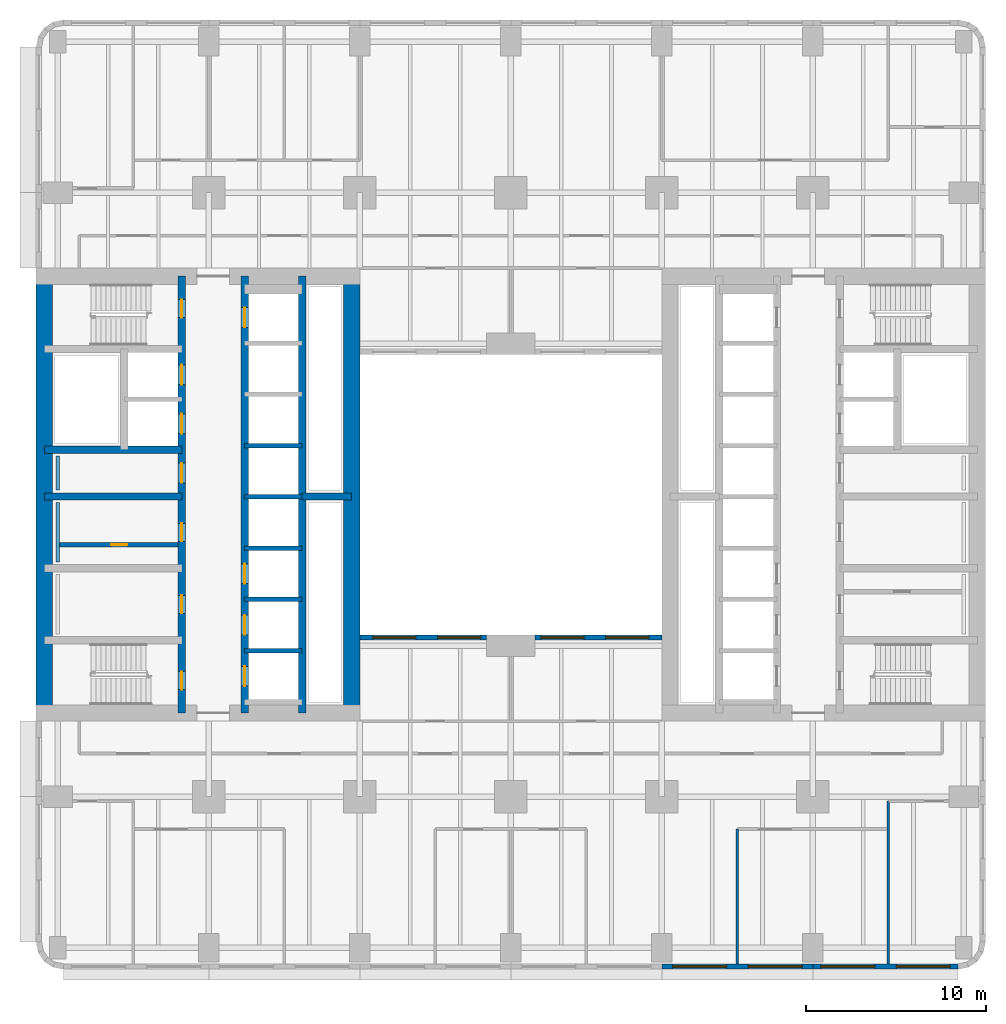
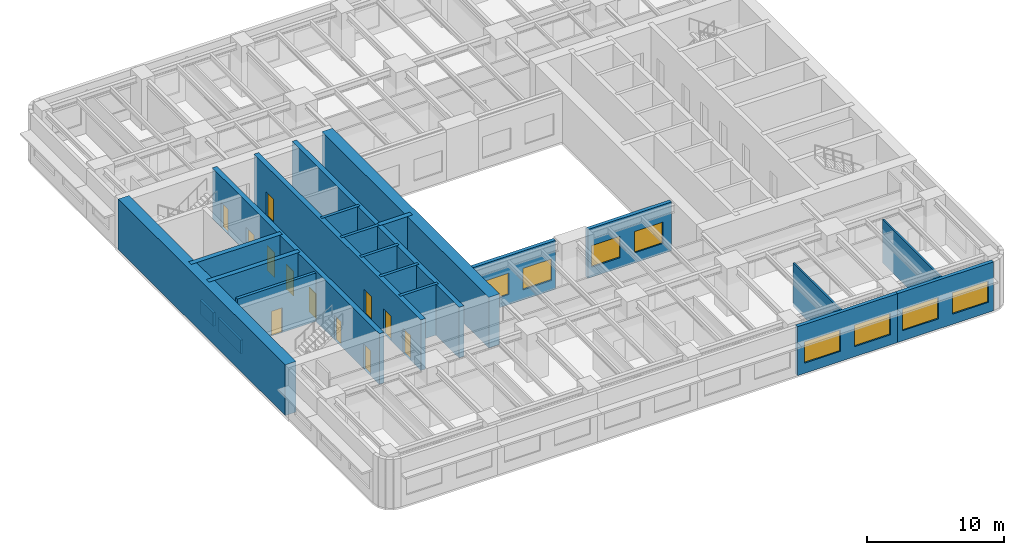
# One storey, part 4 of 14: 22 walls, 12 doors, 8 windows, 20 openings.
"""IFC4 building model written with IfcOpenShell, lengths in metres."""

from ifc_helpers import new_model, si_unit, direction, frame, frame_2d, origin, place, context, subcontext, project, spatial, rectangle, extrude, material, layer, layer_set, type_object, element, fill, save


model = new_model("IFC4")

# Units and contexts
model_context = context("Model", 3, precision=1e-05, world=origin(), true_north=direction((0.0, 1.0)))
body_context = subcontext(model_context, "Body", "Model", "MODEL_VIEW")
ifc_project = project(units=[si_unit("LENGTHUNIT", "METRE"), si_unit("AREAUNIT", "SQUARE_METRE"), si_unit("VOLUMEUNIT", "CUBIC_METRE"), si_unit("PLANEANGLEUNIT", "RADIAN"), si_unit("MASSUNIT", "GRAM", prefix="KILO")], contexts=[model_context])

# Site, building, storey
site_placement = place(None, origin())
site = spatial("IfcSite", under=ifc_project, at=site_placement, CompositionType="ELEMENT")
building_placement = place(site_placement, origin())
building = spatial("IfcBuilding", under=site, at=building_placement, Name="Claustro Exchange Tower", CompositionType="ELEMENT")
storey_placement = place(building_placement, frame((0.0, 0.0, 77.39990234375)))
storey = spatial("IfcBuildingStorey", under=building, at=storey_placement, Name="L17", CompositionType="ELEMENT", Elevation=77.39990234375)

# Walls
ifc_material_1 = material(Name="Gypsum board on steel studs", Category="steel")
ifc_layer_1 = layer(ifc_material_1, 0.14990234375)
ifc_layer_set_1 = layer_set([ifc_layer_1], Name="Gypsum board on steel studs")
wall_type_1 = type_object("IfcWallType", Name="P1 150 plasterboard partition", PredefinedType="PARTITIONING", material=ifc_layer_set_1)
wall_1_placement = place(storey_placement, frame((37.800048828125, -0.902099609375, 0.0), z_axis=(0.0, 0.0, 1.0), x_axis=(0.0, 1.0, 0.0)))
element("IfcWall", 1, at=wall_1_placement, inside=storey, type_object=wall_type_1, Name="Partition P1 L17", PredefinedType="PARTITIONING", context=body_context, shape_type="SweptSolid", body=[
    extrude(rectangle(XDim=7.502197265625, YDim=0.14990234375, at=frame_2d((3.7509765625, 0.0))), origin(), (0.0, 0.0, 1.0), 3.840087890625),
])
wall_2_placement = place(storey_placement, frame((46.199951171875, -0.902099609375, 0.0), z_axis=(0.0, 0.0, 1.0), x_axis=(0.0, 1.0, 0.0)))
element("IfcWall", 2, at=wall_2_placement, inside=storey, type_object=wall_type_1, Name="Partition P1 L17", PredefinedType="PARTITIONING", context=body_context, shape_type="SweptSolid", body=[
    extrude(rectangle(XDim=9.052001953125, YDim=0.14990234375, at=frame_2d((4.52587890625, 0.0))), origin(), (0.0, 0.0, 1.0), 3.840087890625),
])

# Wall, opening, door
ifc_material_2 = material(Name="Concrete blockwork, rendered", Category="masonry")
ifc_layer_2 = layer(ifc_material_2, 0.25)
ifc_layer_set_2 = layer_set([ifc_layer_2], Name="Concrete blockwork, rendered")
wall_type_2 = type_object("IfcWallType", Name="P4 250 blockwork wall", PredefinedType="PARTITIONING", material=ifc_layer_set_2)
wall_3_placement = place(storey_placement, frame((0.10009765625, 22.39990234375, 0.0), z_axis=(0.0, 0.0, 1.0), x_axis=(1.0, 0.0, 0.0)))
wall_3 = element("IfcWall", 3, at=wall_3_placement, inside=storey, type_object=wall_type_2, Name="Partition P4 L17", PredefinedType="PARTITIONING", context=body_context, shape_type="SweptSolid", body=[
    extrude(rectangle(XDim=6.599853515625, YDim=0.25, at=frame_2d((3.2998046875, 0.0))), origin(), (0.0, 0.0, 1.0), 4.300048828125),
])
opening_1_placement = place(wall_3_placement, frame((2.875, 0.0, 0.0)))
opening_1 = element("IfcOpeningElement", 4, at=opening_1_placement, cuts=wall_3, Name="Opening D5", PredefinedType="OPENING", context=body_context, shape_type="SweptSolid", body=[
    extrude(rectangle(XDim=0.89990234375, YDim=2.199951171875, at=frame_2d((0.449951171875, 1.10009765625))), frame((0.0, 0.135009765625, 0.0), z_axis=(0.0, -1.0, 0.0), x_axis=(1.0, 0.0, 0.0)), (0.0, 0.0, 1.0), 0.27001953125),
])
ifc_material_3 = material(Name="Steel door, painted", Category="steel")
door_type_1 = type_object("IfcDoorType", Name="D5 900 x 2200 store door", OperationType="SINGLE_SWING_LEFT", PredefinedType="DOOR", material=ifc_material_3)
door_1_placement = place(opening_1_placement, frame((0.89990234375, 0.0, 0.0), z_axis=(0.0, 0.0, 1.0), x_axis=(-1.0, 0.0, 0.0)))
door_1 = element("IfcDoor", 5, at=door_1_placement, inside=storey, type_object=door_type_1, Name="Store door D5 L17", OperationType="SINGLE_SWING_RIGHT", OverallHeight=2.199951171875, OverallWidth=0.89990234375, PredefinedType="DOOR", context=body_context, shape_type="SweptSolid", body=[
    extrude(rectangle(XDim=0.89990234375, YDim=2.199951171875, at=frame_2d((0.449951171875, 1.10009765625))), frame((0.0, 0.02490234375, 0.0), z_axis=(0.0, -1.0, 0.0), x_axis=(1.0, 0.0, 0.0)), (0.0, 0.0, 1.0), 0.050048828125),
])
fill(opening_1, door_1)

# Wall, openings, windows
ifc_material_4 = material(Name="Concrete HA-40 (C40/50), precast, white cement, acid-etched", Category="concrete")
ifc_layer_3 = layer(ifc_material_4, 0.300048828125)
ifc_layer_set_3 = layer_set([ifc_layer_3], Name="Concrete HA-40 (C40/50), precast, white cement, acid-etched")
wall_type_3 = type_object("IfcWallType", Name="PC1 300 precast concrete pier panel", PredefinedType="SOLIDWALL", material=ifc_layer_set_3)
wall_4_placement = place(storey_placement, frame((50.085205078125, -1.050048828125, 0.0), z_axis=(0.0, 0.0, 1.0), x_axis=(-1.0, 0.0, 0.0)))
wall_4 = element("IfcWall", 6, at=wall_4_placement, inside=storey, type_object=wall_type_3, Name="Precast pier panel PC1 L17", PredefinedType="SOLIDWALL", context=body_context, shape_type="SweptSolid", body=[
    extrude(rectangle(XDim=8.085205078125, YDim=0.300048828125, at=frame_2d((4.04248046875, 0.0))), origin(), (0.0, 0.0, 1.0), 4.340087890625),
])
opening_2_placement = place(wall_4_placement, frame((0.442626953125, 0.0, 0.89990234375)))
opening_2 = element("IfcOpeningElement", 7, at=opening_2_placement, cuts=wall_4, Name="Opening W1", PredefinedType="OPENING", context=body_context, shape_type="SweptSolid", body=[
    extrude(rectangle(XDim=3.0, YDim=1.89990234375, at=frame_2d((1.5, 0.949951171875))), frame((0.0, 0.159912109375, 0.0), z_axis=(0.0, -1.0, 0.0), x_axis=(1.0, 0.0, 0.0)), (0.0, 0.0, 1.0), 0.320068359375),
])
opening_3_placement = place(wall_4_placement, frame((4.642578125, 0.0, 0.89990234375)))
opening_3 = element("IfcOpeningElement", 8, at=opening_3_placement, cuts=wall_4, Name="Opening W1", PredefinedType="OPENING", context=body_context, shape_type="SweptSolid", body=[
    extrude(rectangle(XDim=3.0, YDim=1.89990234375, at=frame_2d((1.5, 0.949951171875))), frame((0.0, 0.159912109375, 0.0), z_axis=(0.0, -1.0, 0.0), x_axis=(1.0, 0.0, 0.0)), (0.0, 0.0, 1.0), 0.320068359375),
])
ifc_material_5 = material(Name="Aluminium frame, clear double glazing", Category="aluminium")
window_type_1 = type_object("IfcWindowType", Name="W1 3000 x 1900 window", PartitioningType="SINGLE_PANEL", PredefinedType="WINDOW", material=ifc_material_5)
window_1_placement = place(opening_2_placement, origin())
window_1 = element("IfcWindow", 9, at=window_1_placement, inside=storey, type_object=window_type_1, Name="Window W1 L17", OverallHeight=1.89990234375, OverallWidth=3.0, PartitioningType="SINGLE_PANEL", PredefinedType="WINDOW", context=body_context, shape_type="SweptSolid", body=[
    extrude(rectangle(XDim=3.0, YDim=1.89990234375, at=frame_2d((1.5, 0.949951171875))), frame((0.0, 0.030029296875, 0.0), z_axis=(0.0, -1.0, 0.0), x_axis=(1.0, 0.0, 0.0)), (0.0, 0.0, 1.0), 0.06005859375),
])
fill(opening_2, window_1)
window_2_placement = place(opening_3_placement, origin())
window_2 = element("IfcWindow", 10, at=window_2_placement, inside=storey, type_object=window_type_1, Name="Window W1 L17", OverallHeight=1.89990234375, OverallWidth=3.0, PartitioningType="SINGLE_PANEL", PredefinedType="WINDOW", context=body_context, shape_type="SweptSolid", body=[
    extrude(rectangle(XDim=3.0, YDim=1.89990234375, at=frame_2d((1.5, 0.949951171875))), frame((0.0, 0.030029296875, 0.0), z_axis=(0.0, -1.0, 0.0), x_axis=(1.0, 0.0, 0.0)), (0.0, 0.0, 1.0), 0.06005859375),
])
fill(opening_3, window_2)

wall_5_placement = place(storey_placement, frame((42.0, -1.050048828125, 0.0), z_axis=(0.0, 0.0, 1.0), x_axis=(-1.0, 0.0, 0.0)))
wall_5 = element("IfcWall", 11, at=wall_5_placement, inside=storey, type_object=wall_type_3, Name="Precast pier panel PC1 L17", PredefinedType="SOLIDWALL", context=body_context, shape_type="SweptSolid", body=[
    extrude(rectangle(XDim=8.39990234375, YDim=0.300048828125, at=frame_2d((4.199951171875, 0.0))), origin(), (0.0, 0.0, 1.0), 4.340087890625),
])
opening_4_placement = place(wall_5_placement, frame((0.60009765625, 0.0, 0.89990234375)))
opening_4 = element("IfcOpeningElement", 12, at=opening_4_placement, cuts=wall_5, Name="Opening W1", PredefinedType="OPENING", context=body_context, shape_type="SweptSolid", body=[
    extrude(rectangle(XDim=3.0, YDim=1.89990234375, at=frame_2d((1.5, 0.949951171875))), frame((0.0, 0.159912109375, 0.0), z_axis=(0.0, -1.0, 0.0), x_axis=(1.0, 0.0, 0.0)), (0.0, 0.0, 1.0), 0.320068359375),
])
opening_5_placement = place(wall_5_placement, frame((4.800048828125, 0.0, 0.89990234375)))
opening_5 = element("IfcOpeningElement", 13, at=opening_5_placement, cuts=wall_5, Name="Opening W1", PredefinedType="OPENING", context=body_context, shape_type="SweptSolid", body=[
    extrude(rectangle(XDim=3.0, YDim=1.89990234375, at=frame_2d((1.5, 0.949951171875))), frame((0.0, 0.159912109375, 0.0), z_axis=(0.0, -1.0, 0.0), x_axis=(1.0, 0.0, 0.0)), (0.0, 0.0, 1.0), 0.320068359375),
])
window_3_placement = place(opening_4_placement, origin())
window_3 = element("IfcWindow", 14, at=window_3_placement, inside=storey, type_object=window_type_1, Name="Window W1 L17", OverallHeight=1.89990234375, OverallWidth=3.0, PartitioningType="SINGLE_PANEL", PredefinedType="WINDOW", context=body_context, shape_type="SweptSolid", body=[
    extrude(rectangle(XDim=3.0, YDim=1.89990234375, at=frame_2d((1.5, 0.949951171875))), frame((0.0, 0.030029296875, 0.0), z_axis=(0.0, -1.0, 0.0), x_axis=(1.0, 0.0, 0.0)), (0.0, 0.0, 1.0), 0.06005859375),
])
fill(opening_4, window_3)
window_4_placement = place(opening_5_placement, origin())
window_4 = element("IfcWindow", 15, at=window_4_placement, inside=storey, type_object=window_type_1, Name="Window W1 L17", OverallHeight=1.89990234375, OverallWidth=3.0, PartitioningType="SINGLE_PANEL", PredefinedType="WINDOW", context=body_context, shape_type="SweptSolid", body=[
    extrude(rectangle(XDim=3.0, YDim=1.89990234375, at=frame_2d((1.5, 0.949951171875))), frame((0.0, 0.030029296875, 0.0), z_axis=(0.0, -1.0, 0.0), x_axis=(1.0, 0.0, 0.0)), (0.0, 0.0, 1.0), 0.06005859375),
])
fill(opening_5, window_4)

wall_6_placement = place(storey_placement, frame((16.800048828125, 17.25, 0.0), z_axis=(0.0, 0.0, 1.0), x_axis=(1.0, 0.0, 0.0)))
wall_6 = element("IfcWall", 16, at=wall_6_placement, inside=storey, type_object=wall_type_3, Name="Precast pier panel PC1 L17", PredefinedType="SOLIDWALL", context=body_context, shape_type="SweptSolid", body=[
    extrude(rectangle(XDim=7.050048828125, YDim=0.300048828125, at=frame_2d((3.52490234375, 0.0))), origin(), (0.0, 0.0, 1.0), 4.340087890625),
])
opening_6_placement = place(wall_6_placement, frame((0.72509765625, 0.0, 0.89990234375)))
opening_6 = element("IfcOpeningElement", 17, at=opening_6_placement, cuts=wall_6, Name="Opening W2", PredefinedType="OPENING", context=body_context, shape_type="SweptSolid", body=[
    extrude(rectangle(XDim=2.39990234375, YDim=1.89990234375, at=frame_2d((1.199951171875, 0.949951171875))), frame((0.0, 0.159912109375, 0.0), z_axis=(0.0, -1.0, 0.0), x_axis=(1.0, 0.0, 0.0)), (0.0, 0.0, 1.0), 0.320068359375),
])
opening_7_placement = place(wall_6_placement, frame((4.324951171875, 0.0, 0.89990234375)))
opening_7 = element("IfcOpeningElement", 18, at=opening_7_placement, cuts=wall_6, Name="Opening W2", PredefinedType="OPENING", context=body_context, shape_type="SweptSolid", body=[
    extrude(rectangle(XDim=2.39990234375, YDim=1.89990234375, at=frame_2d((1.199951171875, 0.949951171875))), frame((0.0, 0.159912109375, 0.0), z_axis=(0.0, -1.0, 0.0), x_axis=(1.0, 0.0, 0.0)), (0.0, 0.0, 1.0), 0.320068359375),
])
ifc_material_6 = material(Name="Aluminium frame, clear double glazing", Category="aluminium")
window_type_2 = type_object("IfcWindowType", Name="W2 2400 x 1900 window", PartitioningType="SINGLE_PANEL", PredefinedType="WINDOW", material=ifc_material_6)
window_5_placement = place(opening_6_placement, origin())
window_5 = element("IfcWindow", 19, at=window_5_placement, inside=storey, type_object=window_type_2, Name="Window W2 L17", OverallHeight=1.89990234375, OverallWidth=2.39990234375, PartitioningType="SINGLE_PANEL", PredefinedType="WINDOW", context=body_context, shape_type="SweptSolid", body=[
    extrude(rectangle(XDim=2.39990234375, YDim=1.89990234375, at=frame_2d((1.199951171875, 0.949951171875))), frame((0.0, 0.030029296875, 0.0), z_axis=(0.0, -1.0, 0.0), x_axis=(1.0, 0.0, 0.0)), (0.0, 0.0, 1.0), 0.06005859375),
])
fill(opening_6, window_5)
window_6_placement = place(opening_7_placement, origin())
window_6 = element("IfcWindow", 20, at=window_6_placement, inside=storey, type_object=window_type_2, Name="Window W2 L17", OverallHeight=1.89990234375, OverallWidth=2.39990234375, PartitioningType="SINGLE_PANEL", PredefinedType="WINDOW", context=body_context, shape_type="SweptSolid", body=[
    extrude(rectangle(XDim=2.39990234375, YDim=1.89990234375, at=frame_2d((1.199951171875, 0.949951171875))), frame((0.0, 0.030029296875, 0.0), z_axis=(0.0, -1.0, 0.0), x_axis=(1.0, 0.0, 0.0)), (0.0, 0.0, 1.0), 0.06005859375),
])
fill(opening_7, window_6)

wall_7_placement = place(storey_placement, frame((26.550048828125, 17.25, 0.0), z_axis=(0.0, 0.0, 1.0), x_axis=(1.0, 0.0, 0.0)))
wall_7 = element("IfcWall", 21, at=wall_7_placement, inside=storey, type_object=wall_type_3, Name="Precast pier panel PC1 L17", PredefinedType="SOLIDWALL", context=body_context, shape_type="SweptSolid", body=[
    extrude(rectangle(XDim=7.050048828125, YDim=0.300048828125, at=frame_2d((3.52490234375, 0.0))), origin(), (0.0, 0.0, 1.0), 4.340087890625),
])
opening_8_placement = place(wall_7_placement, frame((0.324951171875, 0.0, 0.89990234375)))
opening_8 = element("IfcOpeningElement", 22, at=opening_8_placement, cuts=wall_7, Name="Opening W2", PredefinedType="OPENING", context=body_context, shape_type="SweptSolid", body=[
    extrude(rectangle(XDim=2.39990234375, YDim=1.89990234375, at=frame_2d((1.199951171875, 0.949951171875))), frame((0.0, 0.159912109375, 0.0), z_axis=(0.0, -1.0, 0.0), x_axis=(1.0, 0.0, 0.0)), (0.0, 0.0, 1.0), 0.320068359375),
])
opening_9_placement = place(wall_7_placement, frame((3.925048828125, 0.0, 0.89990234375)))
opening_9 = element("IfcOpeningElement", 23, at=opening_9_placement, cuts=wall_7, Name="Opening W2", PredefinedType="OPENING", context=body_context, shape_type="SweptSolid", body=[
    extrude(rectangle(XDim=2.39990234375, YDim=1.89990234375, at=frame_2d((1.199951171875, 0.949951171875))), frame((0.0, 0.159912109375, 0.0), z_axis=(0.0, -1.0, 0.0), x_axis=(1.0, 0.0, 0.0)), (0.0, 0.0, 1.0), 0.320068359375),
])
window_7_placement = place(opening_8_placement, origin())
window_7 = element("IfcWindow", 24, at=window_7_placement, inside=storey, type_object=window_type_2, Name="Window W2 L17", OverallHeight=1.89990234375, OverallWidth=2.39990234375, PartitioningType="SINGLE_PANEL", PredefinedType="WINDOW", context=body_context, shape_type="SweptSolid", body=[
    extrude(rectangle(XDim=2.39990234375, YDim=1.89990234375, at=frame_2d((1.199951171875, 0.949951171875))), frame((0.0, 0.030029296875, 0.0), z_axis=(0.0, -1.0, 0.0), x_axis=(1.0, 0.0, 0.0)), (0.0, 0.0, 1.0), 0.06005859375),
])
fill(opening_8, window_7)
window_8_placement = place(opening_9_placement, origin())
window_8 = element("IfcWindow", 25, at=window_8_placement, inside=storey, type_object=window_type_2, Name="Window W2 L17", OverallHeight=1.89990234375, OverallWidth=2.39990234375, PartitioningType="SINGLE_PANEL", PredefinedType="WINDOW", context=body_context, shape_type="SweptSolid", body=[
    extrude(rectangle(XDim=2.39990234375, YDim=1.89990234375, at=frame_2d((1.199951171875, 0.949951171875))), frame((0.0, 0.030029296875, 0.0), z_axis=(0.0, -1.0, 0.0), x_axis=(1.0, 0.0, 0.0)), (0.0, 0.0, 1.0), 0.06005859375),
])
fill(opening_9, window_8)

# Walls
ifc_material_7 = material(Name="Gypsum board on steel studs, tiled", Category="steel")
ifc_layer_4 = layer(ifc_material_7, 0.199951171875)
ifc_layer_set_4 = layer_set([ifc_layer_4], Name="Gypsum board on steel studs, tiled")
wall_type_4 = type_object("IfcWallType", Name="PW1 200 WC duct wall", PredefinedType="PLUMBINGWALL", material=ifc_layer_set_4)
wall_8_placement = place(storey_placement, frame((0.0, 21.449951171875, 0.0), z_axis=(0.0, 0.0, 1.0), x_axis=(0.0, 1.0, 0.0)))
element("IfcWall", 26, at=wall_8_placement, inside=storey, type_object=wall_type_4, Name="WC duct wall PW1 L17", PredefinedType="PLUMBINGWALL", context=body_context, shape_type="SweptSolid", body=[
    extrude(rectangle(XDim=3.300048828125, YDim=0.199951171875, at=frame_2d((1.64990234375, 0.0))), origin(), (0.0, 0.0, 1.0), 1.2001953125),
])
wall_9_placement = place(storey_placement, frame((0.0, 25.449951171875, 0.0), z_axis=(0.0, 0.0, 1.0), x_axis=(0.0, 1.0, 0.0)))
element("IfcWall", 27, at=wall_9_placement, inside=storey, type_object=wall_type_4, Name="WC duct wall PW1 L17", PredefinedType="PLUMBINGWALL", context=body_context, shape_type="SweptSolid", body=[
    extrude(rectangle(XDim=1.900146484375, YDim=0.199951171875, at=frame_2d((0.9501953125, 0.0))), origin(), (0.0, 0.0, 1.0), 1.2001953125),
])
ifc_material_8 = material(Name="Concrete HA-70 (C70/85)", Category="concrete")
ifc_layer_5 = layer(ifc_material_8, 0.89990234375)
ifc_layer_set_5 = layer_set([ifc_layer_5], Name="Concrete HA-70 (C70/85)")
wall_type_5 = type_object("IfcWallType", Name="SW1X 900 exposed core shear wall, board-marked face", PredefinedType="SHEAR", material=ifc_layer_set_5)
for number, where, z_axis, x_axis, name in (
    (28, (-0.75, 13.050048828125, 0.0), (0.0, 0.0, 1.0), (0.0, 1.0, 0.0), "Core wall SW1X W core W face L17"),
    (29, (16.35009765625, 13.050048828125, 0.0), (0.0, 0.0, 1.0), (0.0, 1.0, 0.0), "Core wall SW1X W core E face L17"),
):
    element("IfcWall", number, at=place(storey_placement, frame(where, z_axis=z_axis, x_axis=x_axis)), inside=storey, type_object=wall_type_5, Name=name, PredefinedType="SHEAR", context=body_context, shape_type="SweptSolid", body=[
        extrude(rectangle(XDim=24.300048828125, YDim=0.89990234375, at=frame_2d((12.14990234375, 0.0))), origin(), (0.0, 0.0, 1.0), 4.5),
    ])

# Wall, openings, doors
ifc_material_9 = material(Name="Concrete HA-50 (C50/60)", Category="concrete")
ifc_layer_6 = layer(ifc_material_9, 0.39990234375)
ifc_layer_set_6 = layer_set([ifc_layer_6], Name="Concrete HA-50 (C50/60)")
wall_type_6 = type_object("IfcWallType", Name="SW4 400 internal core wall", PredefinedType="SHEAR", material=ifc_layer_set_6)
wall_10_placement = place(storey_placement, frame((6.89990234375, 13.050048828125, 0.0), z_axis=(0.0, 0.0, 1.0), x_axis=(0.0, 1.0, 0.0)))
wall_10 = element("IfcWall", 30, at=wall_10_placement, inside=storey, type_object=wall_type_6, Name="Internal core wall SW4 W core L17", PredefinedType="SHEAR", context=body_context, shape_type="SweptSolid", body=[
    extrude(rectangle(XDim=24.300048828125, YDim=0.39990234375, at=frame_2d((12.14990234375, 0.0))), origin(), (0.0, 0.0, 1.0), 4.5),
])
opening_10_placement = place(wall_10_placement, frame((1.300048828125, 0.0, 0.0)))
opening_10 = element("IfcOpeningElement", 31, at=opening_10_placement, cuts=wall_10, Name="Opening D4", PredefinedType="OPENING", context=body_context, shape_type="SweptSolid", body=[
    extrude(rectangle(XDim=1.0, YDim=2.199951171875, at=frame_2d((0.5, 1.10009765625))), frame((0.0, 0.2099609375, 0.0), z_axis=(0.0, -1.0, 0.0), x_axis=(1.0, 0.0, 0.0)), (0.0, 0.0, 1.0), 0.419921875),
])
opening_11_placement = place(wall_10_placement, frame((22.0, 0.0, 0.0)))
opening_11 = element("IfcOpeningElement", 32, at=opening_11_placement, cuts=wall_10, Name="Opening D4", PredefinedType="OPENING", context=body_context, shape_type="SweptSolid", body=[
    extrude(rectangle(XDim=1.0, YDim=2.199951171875, at=frame_2d((0.5, 1.10009765625))), frame((0.0, 0.2099609375, 0.0), z_axis=(0.0, -1.0, 0.0), x_axis=(1.0, 0.0, 0.0)), (0.0, 0.0, 1.0), 0.419921875),
])
opening_12_placement = place(wall_10_placement, frame((5.550048828125, 0.0, 0.0)))
opening_12 = element("IfcOpeningElement", 33, at=opening_12_placement, cuts=wall_10, Name="Opening D1", PredefinedType="OPENING", context=body_context, shape_type="SweptSolid", body=[
    extrude(rectangle(XDim=1.0, YDim=2.199951171875, at=frame_2d((0.5, 1.10009765625))), frame((0.0, 0.2099609375, 0.0), z_axis=(0.0, -1.0, 0.0), x_axis=(1.0, 0.0, 0.0)), (0.0, 0.0, 1.0), 0.419921875),
])
opening_13_placement = place(wall_10_placement, frame((9.550048828125, 0.0, 0.0)))
opening_13 = element("IfcOpeningElement", 34, at=opening_13_placement, cuts=wall_10, Name="Opening D1", PredefinedType="OPENING", context=body_context, shape_type="SweptSolid", body=[
    extrude(rectangle(XDim=1.0, YDim=2.199951171875, at=frame_2d((0.5, 1.10009765625))), frame((0.0, 0.2099609375, 0.0), z_axis=(0.0, -1.0, 0.0), x_axis=(1.0, 0.0, 0.0)), (0.0, 0.0, 1.0), 0.419921875),
])
opening_14_placement = place(wall_10_placement, frame((12.800048828125, 0.0, 0.0)))
opening_14 = element("IfcOpeningElement", 35, at=opening_14_placement, cuts=wall_10, Name="Opening D10", PredefinedType="OPENING", context=body_context, shape_type="SweptSolid", body=[
    extrude(rectangle(XDim=1.10009765625, YDim=2.199951171875, at=frame_2d((0.550048828125, 1.10009765625))), frame((0.0, 0.2099609375, 0.0), z_axis=(0.0, -1.0, 0.0), x_axis=(1.0, 0.0, 0.0)), (0.0, 0.0, 1.0), 0.419921875),
])
opening_15_placement = place(wall_10_placement, frame((15.53759765625, 0.0, 0.0)))
opening_15 = element("IfcOpeningElement", 36, at=opening_15_placement, cuts=wall_10, Name="Opening LD", PredefinedType="OPENING", context=body_context, shape_type="SweptSolid", body=[
    extrude(rectangle(XDim=1.10009765625, YDim=2.199951171875, at=frame_2d((0.550048828125, 1.10009765625))), frame((0.0, 0.2099609375, 0.0), z_axis=(0.0, -1.0, 0.0), x_axis=(1.0, 0.0, 0.0)), (0.0, 0.0, 1.0), 0.419921875),
])
opening_16_placement = place(wall_10_placement, frame((18.262451171875, 0.0, 0.0)))
opening_16 = element("IfcOpeningElement", 37, at=opening_16_placement, cuts=wall_10, Name="Opening LD", PredefinedType="OPENING", context=body_context, shape_type="SweptSolid", body=[
    extrude(rectangle(XDim=1.10009765625, YDim=2.199951171875, at=frame_2d((0.550048828125, 1.10009765625))), frame((0.0, 0.2099609375, 0.0), z_axis=(0.0, -1.0, 0.0), x_axis=(1.0, 0.0, 0.0)), (0.0, 0.0, 1.0), 0.419921875),
])
ifc_material_10 = material(Name="Timber door, oak veneer", Category="wood")
door_type_2 = type_object("IfcDoorType", Name="D1 1000 x 2200 single door", OperationType="SINGLE_SWING_LEFT", PredefinedType="DOOR", material=ifc_material_10)
door_2_placement = place(opening_12_placement, origin())
door_2 = element("IfcDoor", 38, at=door_2_placement, inside=storey, type_object=door_type_2, Name="Door D1 L17", OperationType="SINGLE_SWING_RIGHT", OverallHeight=2.199951171875, OverallWidth=1.0, PredefinedType="DOOR", context=body_context, shape_type="SweptSolid", body=[
    extrude(rectangle(XDim=1.0, YDim=2.199951171875, at=frame_2d((0.5, 1.10009765625))), frame((0.0, 0.02490234375, 0.0), z_axis=(0.0, -1.0, 0.0), x_axis=(1.0, 0.0, 0.0)), (0.0, 0.0, 1.0), 0.050048828125),
])
fill(opening_12, door_2)
door_3_placement = place(opening_13_placement, origin())
door_3 = element("IfcDoor", 39, at=door_3_placement, inside=storey, type_object=door_type_2, Name="Door D1 L17", OperationType="SINGLE_SWING_LEFT", OverallHeight=2.199951171875, OverallWidth=1.0, PredefinedType="DOOR", context=body_context, shape_type="SweptSolid", body=[
    extrude(rectangle(XDim=1.0, YDim=2.199951171875, at=frame_2d((0.5, 1.10009765625))), frame((0.0, 0.02490234375, 0.0), z_axis=(0.0, -1.0, 0.0), x_axis=(1.0, 0.0, 0.0)), (0.0, 0.0, 1.0), 0.050048828125),
])
fill(opening_13, door_3)
ifc_material_11 = material(Name="Timber door, oak veneer", Category="wood")
door_type_3 = type_object("IfcDoorType", Name="D10 1100 x 2200 accessible WC door", OperationType="SINGLE_SWING_LEFT", PredefinedType="DOOR", material=ifc_material_11)
door_4_placement = place(opening_14_placement, frame((1.10009765625, 0.0, 0.0), z_axis=(0.0, 0.0, 1.0), x_axis=(-1.0, 0.0, 0.0)))
door_4 = element("IfcDoor", 40, at=door_4_placement, inside=storey, type_object=door_type_3, Name="Accessible WC door D10 L17", OperationType="SINGLE_SWING_LEFT", OverallHeight=2.199951171875, OverallWidth=1.10009765625, PredefinedType="DOOR", context=body_context, shape_type="SweptSolid", body=[
    extrude(rectangle(XDim=1.10009765625, YDim=2.199951171875, at=frame_2d((0.550048828125, 1.10009765625))), frame((0.0, 0.02490234375, 0.0), z_axis=(0.0, -1.0, 0.0), x_axis=(1.0, 0.0, 0.0)), (0.0, 0.0, 1.0), 0.050048828125),
])
fill(opening_14, door_4)
ifc_material_12 = material(Name="Steel fire door, painted", Category="steel")
door_type_4 = type_object("IfcDoorType", Name="D4 1000 x 2200 fire-rated stair door", OperationType="SINGLE_SWING_LEFT", PredefinedType="DOOR", material=ifc_material_12)
door_5_placement = place(opening_10_placement, origin())
door_5 = element("IfcDoor", 41, at=door_5_placement, inside=storey, type_object=door_type_4, Name="Stair door D4 L17", OperationType="SINGLE_SWING_LEFT", OverallHeight=2.199951171875, OverallWidth=1.0, PredefinedType="DOOR", context=body_context, shape_type="SweptSolid", body=[
    extrude(rectangle(XDim=1.0, YDim=2.199951171875, at=frame_2d((0.5, 1.10009765625))), frame((0.0, 0.02490234375, 0.0), z_axis=(0.0, -1.0, 0.0), x_axis=(1.0, 0.0, 0.0)), (0.0, 0.0, 1.0), 0.050048828125),
])
fill(opening_10, door_5)
door_6_placement = place(opening_11_placement, origin())
door_6 = element("IfcDoor", 42, at=door_6_placement, inside=storey, type_object=door_type_4, Name="Stair door D4 L17", OperationType="SINGLE_SWING_RIGHT", OverallHeight=2.199951171875, OverallWidth=1.0, PredefinedType="DOOR", context=body_context, shape_type="SweptSolid", body=[
    extrude(rectangle(XDim=1.0, YDim=2.199951171875, at=frame_2d((0.5, 1.10009765625))), frame((0.0, 0.02490234375, 0.0), z_axis=(0.0, -1.0, 0.0), x_axis=(1.0, 0.0, 0.0)), (0.0, 0.0, 1.0), 0.050048828125),
])
fill(opening_11, door_6)
ifc_material_13 = material(Name="Stainless steel sliding door", Category="steel")
door_type_5 = type_object("IfcDoorType", Name="LD 1100 x 2200 lift landing door", OperationType="DOUBLE_DOOR_SLIDING", PredefinedType="DOOR", material=ifc_material_13)
door_7_placement = place(opening_15_placement, origin())
door_7 = element("IfcDoor", 43, at=door_7_placement, inside=storey, type_object=door_type_5, Name="Lift landing door LEW1 LD L17", OperationType="DOUBLE_DOOR_SLIDING", OverallHeight=2.199951171875, OverallWidth=1.10009765625, PredefinedType="DOOR", context=body_context, shape_type="SweptSolid", body=[
    extrude(rectangle(XDim=1.10009765625, YDim=2.199951171875, at=frame_2d((0.550048828125, 1.10009765625))), frame((0.0, 0.02490234375, 0.0), z_axis=(0.0, -1.0, 0.0), x_axis=(1.0, 0.0, 0.0)), (0.0, 0.0, 1.0), 0.050048828125),
])
fill(opening_15, door_7)
door_8_placement = place(opening_16_placement, origin())
door_8 = element("IfcDoor", 44, at=door_8_placement, inside=storey, type_object=door_type_5, Name="Lift landing door LEW2 LD L17", OperationType="DOUBLE_DOOR_SLIDING", OverallHeight=2.199951171875, OverallWidth=1.10009765625, PredefinedType="DOOR", context=body_context, shape_type="SweptSolid", body=[
    extrude(rectangle(XDim=1.10009765625, YDim=2.199951171875, at=frame_2d((0.550048828125, 1.10009765625))), frame((0.0, 0.02490234375, 0.0), z_axis=(0.0, -1.0, 0.0), x_axis=(1.0, 0.0, 0.0)), (0.0, 0.0, 1.0), 0.050048828125),
])
fill(opening_16, door_8)

wall_11_placement = place(storey_placement, frame((10.39990234375, 13.050048828125, 0.0), z_axis=(0.0, 0.0, 1.0), x_axis=(0.0, 1.0, 0.0)))
wall_11 = element("IfcWall", 45, at=wall_11_placement, inside=storey, type_object=wall_type_6, Name="Internal core wall SW4 W core L17", PredefinedType="SHEAR", context=body_context, shape_type="SweptSolid", body=[
    extrude(rectangle(XDim=24.300048828125, YDim=0.39990234375, at=frame_2d((12.14990234375, 0.0))), origin(), (0.0, 0.0, 1.0), 4.5),
])
opening_17_placement = place(wall_11_placement, frame((1.5, 0.0, 0.0)))
opening_17 = element("IfcOpeningElement", 46, at=opening_17_placement, cuts=wall_11, Name="Opening LD", PredefinedType="OPENING", context=body_context, shape_type="SweptSolid", body=[
    extrude(rectangle(XDim=1.10009765625, YDim=2.199951171875, at=frame_2d((0.550048828125, 1.10009765625))), frame((0.0, 0.2099609375, 0.0), z_axis=(0.0, -1.0, 0.0), x_axis=(1.0, 0.0, 0.0)), (0.0, 0.0, 1.0), 0.419921875),
])
opening_18_placement = place(wall_11_placement, frame((4.35009765625, 0.0, 0.0)))
opening_18 = element("IfcOpeningElement", 47, at=opening_18_placement, cuts=wall_11, Name="Opening LD", PredefinedType="OPENING", context=body_context, shape_type="SweptSolid", body=[
    extrude(rectangle(XDim=1.10009765625, YDim=2.199951171875, at=frame_2d((0.550048828125, 1.10009765625))), frame((0.0, 0.2099609375, 0.0), z_axis=(0.0, -1.0, 0.0), x_axis=(1.0, 0.0, 0.0)), (0.0, 0.0, 1.0), 0.419921875),
])
opening_19_placement = place(wall_11_placement, frame((7.199951171875, 0.0, 0.0)))
opening_19 = element("IfcOpeningElement", 48, at=opening_19_placement, cuts=wall_11, Name="Opening LD", PredefinedType="OPENING", context=body_context, shape_type="SweptSolid", body=[
    extrude(rectangle(XDim=1.10009765625, YDim=2.199951171875, at=frame_2d((0.550048828125, 1.10009765625))), frame((0.0, 0.2099609375, 0.0), z_axis=(0.0, -1.0, 0.0), x_axis=(1.0, 0.0, 0.0)), (0.0, 0.0, 1.0), 0.419921875),
])
opening_20_placement = place(wall_11_placement, frame((21.449951171875, 0.0, 0.0)))
opening_20 = element("IfcOpeningElement", 49, at=opening_20_placement, cuts=wall_11, Name="Opening LD", PredefinedType="OPENING", context=body_context, shape_type="SweptSolid", body=[
    extrude(rectangle(XDim=1.10009765625, YDim=2.199951171875, at=frame_2d((0.550048828125, 1.10009765625))), frame((0.0, 0.2099609375, 0.0), z_axis=(0.0, -1.0, 0.0), x_axis=(1.0, 0.0, 0.0)), (0.0, 0.0, 1.0), 0.419921875),
])
door_9_placement = place(opening_17_placement, origin())
door_9 = element("IfcDoor", 50, at=door_9_placement, inside=storey, type_object=door_type_5, Name="Lift landing door LLW1 LD L17", OperationType="DOUBLE_DOOR_SLIDING", OverallHeight=2.199951171875, OverallWidth=1.10009765625, PredefinedType="DOOR", context=body_context, shape_type="SweptSolid", body=[
    extrude(rectangle(XDim=1.10009765625, YDim=2.199951171875, at=frame_2d((0.550048828125, 1.10009765625))), frame((0.0, 0.02490234375, 0.0), z_axis=(0.0, -1.0, 0.0), x_axis=(1.0, 0.0, 0.0)), (0.0, 0.0, 1.0), 0.050048828125),
])
fill(opening_17, door_9)
door_10_placement = place(opening_18_placement, origin())
door_10 = element("IfcDoor", 51, at=door_10_placement, inside=storey, type_object=door_type_5, Name="Lift landing door LLW2 LD L17", OperationType="DOUBLE_DOOR_SLIDING", OverallHeight=2.199951171875, OverallWidth=1.10009765625, PredefinedType="DOOR", context=body_context, shape_type="SweptSolid", body=[
    extrude(rectangle(XDim=1.10009765625, YDim=2.199951171875, at=frame_2d((0.550048828125, 1.10009765625))), frame((0.0, 0.02490234375, 0.0), z_axis=(0.0, -1.0, 0.0), x_axis=(1.0, 0.0, 0.0)), (0.0, 0.0, 1.0), 0.050048828125),
])
fill(opening_18, door_10)
door_11_placement = place(opening_19_placement, origin())
door_11 = element("IfcDoor", 52, at=door_11_placement, inside=storey, type_object=door_type_5, Name="Lift landing door LLW3 LD L17", OperationType="DOUBLE_DOOR_SLIDING", OverallHeight=2.199951171875, OverallWidth=1.10009765625, PredefinedType="DOOR", context=body_context, shape_type="SweptSolid", body=[
    extrude(rectangle(XDim=1.10009765625, YDim=2.199951171875, at=frame_2d((0.550048828125, 1.10009765625))), frame((0.0, 0.02490234375, 0.0), z_axis=(0.0, -1.0, 0.0), x_axis=(1.0, 0.0, 0.0)), (0.0, 0.0, 1.0), 0.050048828125),
])
fill(opening_19, door_11)
door_12_placement = place(opening_20_placement, origin())
door_12 = element("IfcDoor", 53, at=door_12_placement, inside=storey, type_object=door_type_5, Name="Lift landing door LSW1 LD L17", OperationType="DOUBLE_DOOR_SLIDING", OverallHeight=2.199951171875, OverallWidth=1.10009765625, PredefinedType="DOOR", context=body_context, shape_type="SweptSolid", body=[
    extrude(rectangle(XDim=1.10009765625, YDim=2.199951171875, at=frame_2d((0.550048828125, 1.10009765625))), frame((0.0, 0.02490234375, 0.0), z_axis=(0.0, -1.0, 0.0), x_axis=(1.0, 0.0, 0.0)), (0.0, 0.0, 1.0), 0.050048828125),
])
fill(opening_20, door_12)

# Walls
wall_12_placement = place(storey_placement, frame((13.60009765625, 13.050048828125, 0.0), z_axis=(0.0, 0.0, 1.0), x_axis=(0.0, 1.0, 0.0)))
element("IfcWall", 54, at=wall_12_placement, inside=storey, type_object=wall_type_6, Name="Internal core wall SW4 W core L17", PredefinedType="SHEAR", context=body_context, shape_type="SweptSolid", body=[
    extrude(rectangle(XDim=24.300048828125, YDim=0.39990234375, at=frame_2d((12.14990234375, 0.0))), origin(), (0.0, 0.0, 1.0), 4.5),
])
for number, where, z_axis, x_axis, name in (
    (55, (-0.75, 25.10009765625, 0.0), (0.0, 0.0, 1.0), (1.0, 0.0, 0.0), "Internal core wall SW4 W core L17"),
    (56, (-0.75, 27.699951171875, 0.0), (0.0, 0.0, 1.0), (1.0, 0.0, 0.0), "Internal core wall SW4 W core L17"),
):
    element("IfcWall", number, at=place(storey_placement, frame(where, z_axis=z_axis, x_axis=x_axis)), inside=storey, type_object=wall_type_6, Name=name, PredefinedType="SHEAR", context=body_context, shape_type="SweptSolid", body=[
        extrude(rectangle(XDim=7.64990234375, YDim=0.39990234375, at=frame_2d((3.824951171875, 0.0))), origin(), (0.0, 0.0, 1.0), 4.5),
    ])
wall_13_placement = place(storey_placement, frame((13.60009765625, 25.10009765625, 0.0), z_axis=(0.0, 0.0, 1.0), x_axis=(1.0, 0.0, 0.0)))
element("IfcWall", 57, at=wall_13_placement, inside=storey, type_object=wall_type_6, Name="Internal core wall SW4 W core L17", PredefinedType="SHEAR", context=body_context, shape_type="SweptSolid", body=[
    extrude(rectangle(XDim=2.75, YDim=0.39990234375, at=frame_2d((1.375, 0.0))), origin(), (0.0, 0.0, 1.0), 4.5),
])
ifc_material_14 = material(Name="Concrete HA-50 (C50/60)", Category="concrete")
ifc_layer_7 = layer(ifc_material_14, 0.25)
ifc_layer_set_7 = layer_set([ifc_layer_7], Name="Concrete HA-50 (C50/60)")
wall_type_7 = type_object("IfcWallType", Name="SW5 250 lift shaft divider wall", PredefinedType="SHEAR", material=ifc_layer_set_7)
for number, where, z_axis, x_axis, name in (
    (58, (10.39990234375, 16.52490234375, 0.0), (0.0, 0.0, 1.0), (1.0, 0.0, 0.0), "Lift shaft wall W core L17"),
    (59, (10.39990234375, 19.375, 0.0), (0.0, 0.0, 1.0), (1.0, 0.0, 0.0), "Lift shaft wall W core L17"),
    (60, (10.39990234375, 22.22509765625, 0.0), (0.0, 0.0, 1.0), (1.0, 0.0, 0.0), "Lift shaft wall W core L17"),
    (61, (10.39990234375, 25.074951171875, 0.0), (0.0, 0.0, 1.0), (1.0, 0.0, 0.0), "Lift shaft wall W core L17"),
    (62, (10.39990234375, 27.925048828125, 0.0), (0.0, 0.0, 1.0), (1.0, 0.0, 0.0), "Lift shaft wall W core L17"),
):
    element("IfcWall", number, at=place(storey_placement, frame(where, z_axis=z_axis, x_axis=x_axis)), inside=storey, type_object=wall_type_7, Name=name, PredefinedType="SHEAR", context=body_context, shape_type="SweptSolid", body=[
        extrude(rectangle(XDim=3.2001953125, YDim=0.25, at=frame_2d((1.60009765625, 0.0))), origin(), (0.0, 0.0, 1.0), 4.5),
    ])

save(model, "model.ifc")
